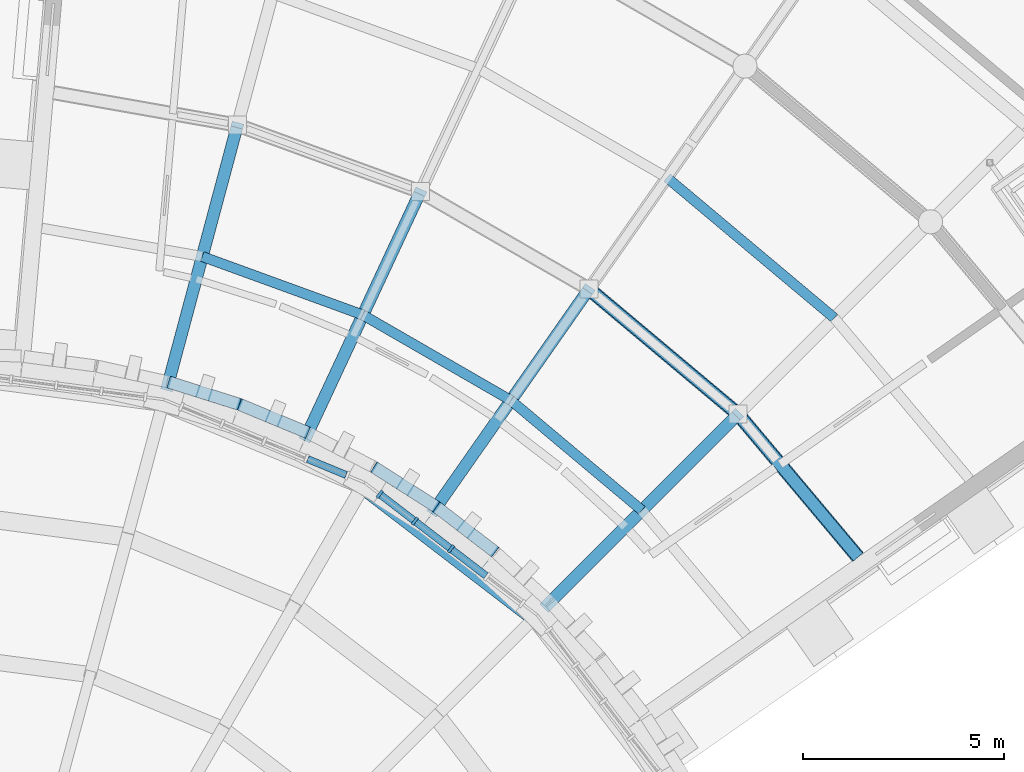
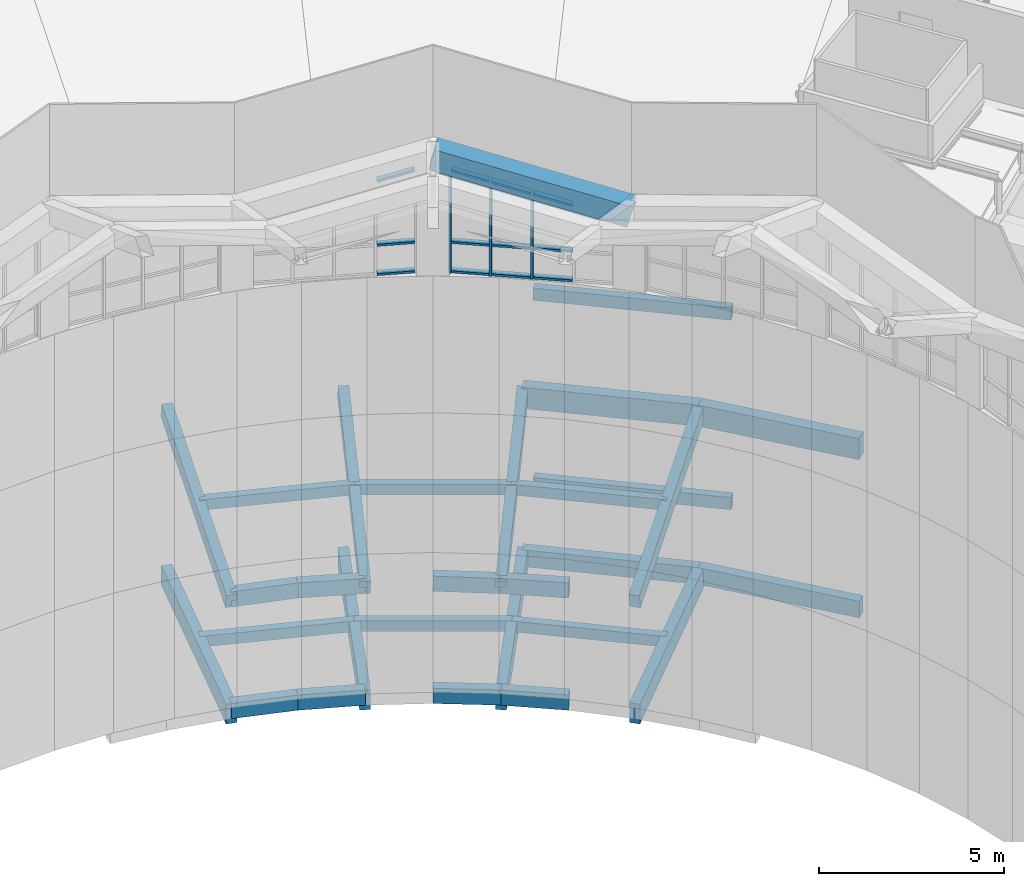
# One storey, part 18 of 82: 29 beams, 15 members, 2 elements without a shape of their own.
"""IFC4 building model written with IfcOpenShell, lengths in metres."""

from ifc_helpers import new_model, si_unit, direction, frame, origin, origin_2d, place, context, subcontext, project, spatial, rectangle, extrude, material, layer, layer_set, material_profile, profile_set, type_object, element, aggregate, save


model = new_model("IFC4")

# Units and contexts
model_context = context("Model", 3, precision=1e-05, world=origin(), true_north=direction((0.0, 1.0)))
body_context = subcontext(model_context, "Body", "Model", "MODEL_VIEW")
ifc_project = project(units=[si_unit("LENGTHUNIT", "METRE"), si_unit("AREAUNIT", "SQUARE_METRE"), si_unit("VOLUMEUNIT", "CUBIC_METRE"), si_unit("PLANEANGLEUNIT", "RADIAN"), si_unit("MASSUNIT", "GRAM", prefix="KILO")], contexts=[model_context])

# Site, building, storey
site_placement = place(None, origin())
site = spatial("IfcSite", under=ifc_project, at=site_placement, CompositionType="ELEMENT")
building_placement = place(site_placement, origin())
building = spatial("IfcBuilding", under=site, at=building_placement, Name="Volute Hill Aquarium", CompositionType="ELEMENT")
storey_placement = place(building_placement, frame((0.0, 0.0, 13.800048828125)))
storey = spatial("IfcBuildingStorey", under=building, at=storey_placement, Name="L04", CompositionType="ELEMENT", Elevation=13.800048828125)

# Beams
ifc_material_1 = material(Name="Concrete C35/45", Category="concrete")
ifc_material_profile_1 = material_profile(ifc_material_1, rectangle(XDim=0.300048828125, YDim=0.550048828125, at=origin_2d()), Name="RC beam 300x550")
ifc_profile_set_1 = profile_set([ifc_material_profile_1], Name="Concrete C35/45")
beam_type_1 = type_object("IfcBeamType", Name="Beam 300x550 C35/45", PredefinedType="BEAM", material=ifc_profile_set_1)
beam_1_placement = place(storey_placement, frame((22.612548828125, 16.07763671875, -0.56494140625), z_axis=(-0.642753784499, 0.766072824549, 0.0), x_axis=(-0.766072824549, -0.642753784499, 0.0)))
element("IfcBeam", 1, at=beam_1_placement, inside=storey, type_object=beam_type_1, Name="bm/S5/L04/ring1.17", PredefinedType="BEAM", context=body_context, shape_type="SweptSolid", body=[
    extrude(rectangle(XDim=0.300048828125, YDim=0.550048828125, at=origin_2d()), origin(), (0.0, 0.0, 1.0), 4.638427734375),
])
beam_2_placement = place(storey_placement, frame((19.631103515625, 19.631103515625, -0.56494140625), z_axis=(-0.766062524641, 0.642766060352, 0.0), x_axis=(-0.642766060352, -0.766062524641, 0.0)))
element("IfcBeam", 2, at=beam_2_placement, inside=storey, type_object=beam_type_1, Name="bm/S5/L04/ring1.18", PredefinedType="BEAM", context=body_context, shape_type="SweptSolid", body=[
    extrude(rectangle(XDim=0.300048828125, YDim=0.550048828125, at=origin_2d()), origin(), (0.0, 0.0, 1.0), 4.83935546875),
])
ifc_material_2 = material(Name="Concrete C35/45", Category="concrete")
ifc_material_profile_2 = material_profile(ifc_material_2, rectangle(XDim=0.300048828125, YDim=0.64990234375, at=origin_2d()), Name="RC beam 300x650")
ifc_profile_set_2 = profile_set([ifc_material_profile_2], Name="Concrete C35/45")
beam_type_2 = type_object("IfcBeamType", Name="Beam 300x650 C35/45", PredefinedType="BEAM", material=ifc_profile_set_2)
beam_3_placement = place(storey_placement, frame((14.84912109375, 14.84912109375, -0.614990234375), z_axis=(0.707106781187, 0.707106781187, 0.0), x_axis=(-0.707106781187, 0.707106781187, 0.0)))
element("IfcBeam", 3, at=beam_3_placement, inside=storey, type_object=beam_type_2, Name="bm/S5/L04/rad1.1", PredefinedType="BEAM", context=body_context, shape_type="SweptSolid", body=[
    extrude(rectangle(XDim=0.300048828125, YDim=0.64990234375, at=origin_2d()), origin(), (0.0, 0.0, 1.0), 6.7626953125),
])
for number, where, z_axis, x_axis, name in (
    (4, (12.045166015625, 17.2021484375, -0.614990234375), (0.573559259618, 0.819164071299, 0.0), (-0.819164071299, 0.573559259618, 0.0), "bm/S5/L04/rad2.5"),
    (5, (8.875, 19.032470703125, -0.614990234375), (0.422612703053, 0.906310379074, 0.0), (-0.906310379074, 0.422612703053, 0.0), "bm/S5/L04/rad3.9"),
    (6, (5.435302734375, 20.284423828125, -0.614990234375), (0.258819697111, 0.965925651584, 0.0), (-0.965925651584, 0.258819697111, 0.0), "bm/S5/L04/rad4.13"),
):
    element("IfcBeam", number, at=place(storey_placement, frame(where, z_axis=z_axis, x_axis=x_axis)), inside=storey, type_object=beam_type_2, Name=name, PredefinedType="BEAM", context=body_context, shape_type="SweptSolid", body=[
        extrude(rectangle(XDim=0.300048828125, YDim=0.64990234375, at=origin_2d()), origin(), (0.0, 0.0, 1.0), 6.762451171875),
    ])
ifc_material_3 = material(Name="Concrete C35/45", Category="concrete")
ifc_material_profile_3 = material_profile(ifc_material_3, rectangle(XDim=0.35009765625, YDim=0.699951171875, at=origin_2d()), Name="RC beam 350x700")
ifc_profile_set_3 = profile_set([ifc_material_profile_3], Name="Concrete C35/45")
beam_type_3 = type_object("IfcBeamType", Name="Beam 350x700 C35/45", PredefinedType="BEAM", material=ifc_profile_set_3)
beam_4_placement = place(storey_placement, frame((22.612548828125, 16.07763671875, 4.730224609375), z_axis=(-0.642753784499, 0.766072824549, 0.0), x_axis=(-0.766072824549, -0.642753784499, 0.0)))
element("IfcBeam", 7, at=beam_4_placement, inside=storey, type_object=beam_type_3, Name="rb/S5/L04/ring1.17", PredefinedType="BEAM", context=body_context, shape_type="SweptSolid", body=[
    extrude(rectangle(XDim=0.35009765625, YDim=0.699951171875, at=origin_2d()), origin(), (0.0, 0.0, 1.0), 4.638427734375),
])
beam_5_placement = place(storey_placement, frame((19.631103515625, 19.631103515625, 4.730224609375), z_axis=(-0.766062524641, 0.642766060352, 0.0), x_axis=(-0.642766060352, -0.766062524641, 0.0)))
element("IfcBeam", 8, at=beam_5_placement, inside=storey, type_object=beam_type_3, Name="rb/S5/L04/ring1.18", PredefinedType="BEAM", context=body_context, shape_type="SweptSolid", body=[
    extrude(rectangle(XDim=0.35009765625, YDim=0.699951171875, at=origin_2d()), origin(), (0.0, 0.0, 1.0), 4.83935546875),
])

# Curtain wall, members
ifc_material_4 = material(Name="Aluminium", Category="aluminium")
ifc_layer = layer(ifc_material_4, 0.219970703125)
ifc_layer_set = layer_set([ifc_layer], Name="Curtain wall DR clerestory module 1134")
curtain_wall_type = type_object("IfcCurtainWallType", Name="Curtain wall DR clerestory module 1134", PredefinedType="NOTDEFINED", material=ifc_layer_set)
curtain_wall_1_placement = place(storey_placement, origin())
curtain_wall_1 = element("IfcCurtainWall", 9, at=curtain_wall_1_placement, inside=storey, type_object=curtain_wall_type, Name="Curtain wall CW DR clerestory c03", PredefinedType="NOTDEFINED")
ifc_material_5 = material(Name="Aluminium", Category="aluminium")
ifc_material_profile_4 = material_profile(ifc_material_5, rectangle(XDim=0.219970703125, YDim=0.070068359375, at=origin_2d()), Name="Curtain wall mullion clerestory 70x220")
ifc_profile_set_4 = profile_set([ifc_material_profile_4], Name="Aluminium")
member_type_1 = type_object("IfcMemberType", Name="Curtain wall mullion clerestory 70x220", PredefinedType="MULLION", material=ifc_profile_set_4)
member_1_placement = place(storey_placement, frame((12.49365234375, 16.281982421875, 13.699951171875), z_axis=(0.0, 0.0, 1.0), x_axis=(-0.608760551921, -0.793354013303, 0.0)))
member_1 = element("IfcMember", 10, at=member_1_placement, type_object=member_type_1, Name="Mullion DR clerestory 3", PredefinedType="MULLION", context=body_context, shape_type="SweptSolid", body=[
    extrude(rectangle(XDim=0.219970703125, YDim=0.070068359375, at=origin_2d()), origin(), (0.0, 0.0, 1.0), 2.827392578125),
])
member_2_placement = place(storey_placement, frame((11.593994140625, 16.97216796875, 13.699951171875), z_axis=(0.0, 0.0, 1.0), x_axis=(-0.608760551921, -0.793354013303, 0.0)))
member_2 = element("IfcMember", 11, at=member_2_placement, type_object=member_type_1, Name="Mullion DR clerestory 4", PredefinedType="MULLION", context=body_context, shape_type="SweptSolid", body=[
    extrude(rectangle(XDim=0.219970703125, YDim=0.070068359375, at=origin_2d()), origin(), (0.0, 0.0, 1.0), 3.12109375),
])
member_3_placement = place(storey_placement, frame((10.721923828125, 17.641357421875, 13.699951171875), z_axis=(0.0, 0.0, 1.0), x_axis=(-0.608760551921, -0.793354013303, 0.0)))
member_3 = element("IfcMember", 12, at=member_3_placement, type_object=member_type_1, Name="Mullion DR clerestory 5", PredefinedType="MULLION", context=body_context, shape_type="SweptSolid", body=[
    extrude(rectangle(XDim=0.219970703125, YDim=0.070068359375, at=origin_2d()), origin(), (0.0, 0.0, 1.0), 3.40576171875),
])
ifc_material_6 = material(Name="Aluminium", Category="aluminium")
ifc_material_profile_5 = material_profile(ifc_material_6, rectangle(XDim=0.179931640625, YDim=0.070068359375, at=origin_2d()), Name="Curtain wall transom clerestory 70x180")
ifc_profile_set_5 = profile_set([ifc_material_profile_5], Name="Aluminium")
member_type_2 = type_object("IfcMemberType", Name="Curtain wall transom clerestory 70x180", PredefinedType="USERDEFINED", material=ifc_profile_set_5)
member_4_placement = place(storey_placement, frame((13.365478515625, 15.61279296875, 13.73486328125), z_axis=(-0.793399515431, 0.608701247669, 0.0), x_axis=(-0.608701247669, -0.793399515431, 0.0)))
member_4 = element("IfcMember", 13, at=member_4_placement, type_object=member_type_2, Name="Transom DR clerestory 2.1", ObjectType="TRANSOM", PredefinedType="USERDEFINED", context=body_context, shape_type="SweptSolid", body=[
    extrude(rectangle(XDim=0.179931640625, YDim=0.070068359375, at=origin_2d()), origin(), (0.0, 0.0, 1.0), 1.06396484375),
])
member_5_placement = place(storey_placement, frame((13.365478515625, 15.61279296875, 14.699951171875), z_axis=(-0.793399515431, 0.608701247669, 0.0), x_axis=(-0.608701247669, -0.793399515431, 0.0)))
member_5 = element("IfcMember", 14, at=member_5_placement, type_object=member_type_2, Name="Transom DR clerestory 2.2", ObjectType="TRANSOM", PredefinedType="USERDEFINED", context=body_context, shape_type="SweptSolid", body=[
    extrude(rectangle(XDim=0.179931640625, YDim=0.070068359375, at=origin_2d()), origin(), (0.0, 0.0, 1.0), 1.06396484375),
])
member_6_placement = place(storey_placement, frame((13.365478515625, 15.61279296875, 16.20751953125), z_axis=(-0.768049825103, 0.589252801041, 0.250760049896), x_axis=(-0.608701247669, -0.793399515431, 0.0)))
member_6 = element("IfcMember", 15, at=member_6_placement, type_object=member_type_2, Name="Head member DR clerestory 2", ObjectType="TRANSOM", PredefinedType="USERDEFINED", context=body_context, shape_type="SweptSolid", body=[
    extrude(rectangle(XDim=0.179931640625, YDim=0.070068359375, at=origin_2d()), origin(), (0.0, 0.0, 1.0), 1.09912109375),
])
member_7_placement = place(storey_placement, frame((12.4658203125, 16.30322265625, 13.73486328125), z_axis=(-0.793399515431, 0.608701247669, 0.0), x_axis=(-0.608701247669, -0.793399515431, 0.0)))
member_7 = element("IfcMember", 16, at=member_7_placement, type_object=member_type_2, Name="Transom DR clerestory 3.1", ObjectType="TRANSOM", PredefinedType="USERDEFINED", context=body_context, shape_type="SweptSolid", body=[
    extrude(rectangle(XDim=0.179931640625, YDim=0.070068359375, at=origin_2d()), origin(), (0.0, 0.0, 1.0), 1.06396484375),
])
member_8_placement = place(storey_placement, frame((12.4658203125, 16.30322265625, 14.699951171875), z_axis=(-0.793399515431, 0.608701247669, 0.0), x_axis=(-0.608701247669, -0.793399515431, 0.0)))
member_8 = element("IfcMember", 17, at=member_8_placement, type_object=member_type_2, Name="Transom DR clerestory 3.2", ObjectType="TRANSOM", PredefinedType="USERDEFINED", context=body_context, shape_type="SweptSolid", body=[
    extrude(rectangle(XDim=0.179931640625, YDim=0.070068359375, at=origin_2d()), origin(), (0.0, 0.0, 1.0), 1.06396484375),
])
member_9_placement = place(storey_placement, frame((12.4658203125, 16.30322265625, 16.501220703125), z_axis=(-0.768007032556, 0.589219970321, 0.250968174317), x_axis=(-0.608701247669, -0.793399515431, 0.0)))
member_9 = element("IfcMember", 18, at=member_9_placement, type_object=member_type_2, Name="Head member DR clerestory 3", ObjectType="TRANSOM", PredefinedType="USERDEFINED", context=body_context, shape_type="SweptSolid", body=[
    extrude(rectangle(XDim=0.179931640625, YDim=0.070068359375, at=origin_2d()), origin(), (0.0, 0.0, 1.0), 1.099365234375),
])
member_10_placement = place(storey_placement, frame((11.566162109375, 16.99365234375, 13.73486328125), z_axis=(-0.793461214918, 0.608620818261, 0.0), x_axis=(-0.608620818261, -0.793461214918, 0.0)))
member_10 = element("IfcMember", 19, at=member_10_placement, type_object=member_type_2, Name="Transom DR clerestory 4.1", ObjectType="TRANSOM", PredefinedType="USERDEFINED", context=body_context, shape_type="SweptSolid", body=[
    extrude(rectangle(XDim=0.179931640625, YDim=0.070068359375, at=origin_2d()), origin(), (0.0, 0.0, 1.0), 1.02880859375),
])
member_11_placement = place(storey_placement, frame((11.566162109375, 16.99365234375, 14.699951171875), z_axis=(-0.793461214918, 0.608620818261, 0.0), x_axis=(-0.608620818261, -0.793461214918, 0.0)))
member_11 = element("IfcMember", 20, at=member_11_placement, type_object=member_type_2, Name="Transom DR clerestory 4.2", ObjectType="TRANSOM", PredefinedType="USERDEFINED", context=body_context, shape_type="SweptSolid", body=[
    extrude(rectangle(XDim=0.179931640625, YDim=0.070068359375, at=origin_2d()), origin(), (0.0, 0.0, 1.0), 1.02880859375),
])
member_12_placement = place(storey_placement, frame((11.566162109375, 16.99365234375, 16.795166015625), z_axis=(-0.768096072089, 0.58916460075, 0.250825631196), x_axis=(-0.608620818261, -0.793461214918, 0.0)))
member_12 = element("IfcMember", 21, at=member_12_placement, type_object=member_type_2, Name="Head member DR clerestory 4", ObjectType="TRANSOM", PredefinedType="USERDEFINED", context=body_context, shape_type="SweptSolid", body=[
    extrude(rectangle(XDim=0.179931640625, YDim=0.070068359375, at=origin_2d()), origin(), (0.0, 0.0, 1.0), 1.06298828125),
])
aggregate(curtain_wall_1, [member_1, member_2, member_3, member_4, member_5, member_6, member_7, member_8, member_9, member_10, member_11, member_12])

curtain_wall_2_placement = place(storey_placement, origin())
curtain_wall_2 = element("IfcCurtainWall", 22, at=curtain_wall_2_placement, inside=storey, type_object=curtain_wall_type, Name="Curtain wall CW DR clerestory c04", PredefinedType="NOTDEFINED")
member_13_placement = place(storey_placement, frame((9.884521484375, 18.11962890625, 13.73486328125), z_axis=(-0.923875137994, 0.382694041496, 0.0), x_axis=(-0.382694041496, -0.923875137994, 0.0)))
member_13 = element("IfcMember", 23, at=member_13_placement, type_object=member_type_2, Name="Transom DR clerestory 1.1", ObjectType="TRANSOM", PredefinedType="USERDEFINED", context=body_context, shape_type="SweptSolid", body=[
    extrude(rectangle(XDim=0.179931640625, YDim=0.070068359375, at=origin_2d()), origin(), (0.0, 0.0, 1.0), 1.029052734375),
])
member_14_placement = place(storey_placement, frame((9.884521484375, 18.11962890625, 14.699951171875), z_axis=(-0.923875137994, 0.382694041496, 0.0), x_axis=(-0.382694041496, -0.923875137994, 0.0)))
member_14 = element("IfcMember", 24, at=member_14_placement, type_object=member_type_2, Name="Transom DR clerestory 1.2", ObjectType="TRANSOM", PredefinedType="USERDEFINED", context=body_context, shape_type="SweptSolid", body=[
    extrude(rectangle(XDim=0.179931640625, YDim=0.070068359375, at=origin_2d()), origin(), (0.0, 0.0, 1.0), 1.029052734375),
])
member_15_placement = place(storey_placement, frame((9.884521484375, 18.11962890625, 17.061767578125), z_axis=(-0.894346413946, 0.370462446249, -0.250802846438), x_axis=(-0.382694041496, -0.923875137994, 0.0)))
member_15 = element("IfcMember", 25, at=member_15_placement, type_object=member_type_2, Name="Head member DR clerestory 1", ObjectType="TRANSOM", PredefinedType="USERDEFINED", context=body_context, shape_type="SweptSolid", body=[
    extrude(rectangle(XDim=0.179931640625, YDim=0.070068359375, at=origin_2d()), origin(), (0.0, 0.0, 1.0), 1.06298828125),
])
aggregate(curtain_wall_2, [member_13, member_14, member_15])

# Beams
ifc_material_7 = material(Name="Concrete C40/50", Category="concrete")
ifc_material_profile_6 = material_profile(ifc_material_7, rectangle(XDim=0.60009765625, YDim=0.699951171875, at=origin_2d()), Name="RC beam 600x700")
ifc_profile_set_6 = profile_set([ifc_material_profile_6], Name="Concrete C40/50")
beam_type_4 = type_object("IfcBeamType", Name="Dome shell eave ring beam 600x700", PredefinedType="BEAM", material=ifc_profile_set_6)
beam_6_placement = place(storey_placement, frame((14.63720703125, 14.63720703125, 16.1162109375), z_axis=(-0.768005978347, 0.58930025924, 0.250782817759), x_axis=(-0.608753981167, -0.793359055165, 0.0)))
element("IfcBeam", 26, at=beam_6_placement, inside=storey, type_object=beam_type_4, Name="rb/DR/L04/eave.3", PredefinedType="BEAM", context=body_context, shape_type="SweptSolid", body=[
    extrude(rectangle(XDim=0.60009765625, YDim=0.699951171875, at=origin_2d()), origin(), (0.0, 0.0, 1.0), 5.58203125),
])
ifc_material_8 = material(Name="Concrete C35/45", Category="concrete")
ifc_material_profile_7 = material_profile(ifc_material_8, rectangle(XDim=0.300048828125, YDim=0.5, at=origin_2d()), Name="RC edge beam 300x500")
ifc_profile_set_7 = profile_set([ifc_material_profile_7], Name="Concrete C35/45")
beam_type_5 = type_object("IfcBeamType", Name="Edge beam 300x500 C35/45", PredefinedType="BEAM", material=ifc_profile_set_7)
beam_7_placement = place(storey_placement, frame((13.594970703125, 16.201904296875, -0.5400390625), z_axis=(-0.79334647843, 0.608770371457, 0.0), x_axis=(-0.608770371457, -0.79334647843, 0.0)))
element("IfcBeam", 27, at=beam_7_placement, inside=storey, type_object=beam_type_5, Name="bm/S5/L04/edgeD.35", PredefinedType="BEAM", context=body_context, shape_type="SweptSolid", body=[
    extrude(rectangle(XDim=0.300048828125, YDim=0.5, at=origin_2d()), origin(), (0.0, 0.0, 1.0), 1.84521484375),
])
for number, where, z_axis, x_axis, name in (
    (28, (12.131103515625, 17.3251953125, -0.5400390625), (-0.843334400185, 0.537389141558, 0.0), (-0.537389141558, -0.843334400185, 0.0), "bm/S5/L04/edgeD.36"),
    (29, (8.9384765625, 19.16845703125, -0.5400390625), (-0.923881361379, 0.382679017059, 0.0), (-0.382679017059, -0.923881361379, 0.0), "bm/S5/L04/edgeD.38"),
):
    element("IfcBeam", number, at=place(storey_placement, frame(where, z_axis=z_axis, x_axis=x_axis)), inside=storey, type_object=beam_type_5, Name=name, PredefinedType="BEAM", context=body_context, shape_type="SweptSolid", body=[
        extrude(rectangle(XDim=0.300048828125, YDim=0.5, at=origin_2d()), origin(), (0.0, 0.0, 1.0), 1.844970703125),
    ])
for number, where, z_axis, x_axis, name in (
    (30, (7.23388671875, 19.87451171875, -0.5400390625), (-0.953704567191, 0.300745072312, 0.0), (-0.300745072312, -0.953704567191, 0.0), "bm/S5/L04/edgeD.39"),
    (31, (13.594970703125, 16.201904296875, 3.151123046875), (-0.793296309815, 0.608731874827, -0.01124586163), (-0.608770371457, -0.79334647843, 0.0), "rb/S5/L04/edgeD.35"),
):
    element("IfcBeam", number, at=place(storey_placement, frame(where, z_axis=z_axis, x_axis=x_axis)), inside=storey, type_object=beam_type_5, Name=name, PredefinedType="BEAM", context=body_context, shape_type="SweptSolid", body=[
        extrude(rectangle(XDim=0.300048828125, YDim=0.5, at=origin_2d()), origin(), (0.0, 0.0, 1.0), 1.84521484375),
    ])
beam_8_placement = place(storey_placement, frame((12.131103515625, 17.3251953125, 3.13037109375), z_axis=(-0.843281057084, 0.537355150293, 0.011247275985), x_axis=(-0.537389141558, -0.843334400185, 0.0)))
element("IfcBeam", 32, at=beam_8_placement, inside=storey, type_object=beam_type_5, Name="rb/S5/L04/edgeD.36", PredefinedType="BEAM", context=body_context, shape_type="SweptSolid", body=[
    extrude(rectangle(XDim=0.300048828125, YDim=0.5, at=origin_2d()), origin(), (0.0, 0.0, 1.0), 1.844970703125),
])
for number, where, z_axis, x_axis, name in (
    (33, (8.9384765625, 19.16845703125, 3.13037109375), (-0.923822928729, 0.38265481379, 0.011246770115), (-0.382679017059, -0.923881361379, 0.0), "rb/S5/L04/edgeD.38"),
    (34, (7.23388671875, 19.87451171875, 3.151123046875), (-0.953644258668, 0.300726054377, -0.011245804937), (-0.300745072312, -0.953704567191, 0.0), "rb/S5/L04/edgeD.39"),
):
    element("IfcBeam", number, at=place(storey_placement, frame(where, z_axis=z_axis, x_axis=x_axis)), inside=storey, type_object=beam_type_5, Name=name, PredefinedType="BEAM", context=body_context, shape_type="SweptSolid", body=[
        extrude(rectangle(XDim=0.300048828125, YDim=0.5, at=origin_2d()), origin(), (0.0, 0.0, 1.0), 1.84521484375),
    ])
ifc_material_9 = material(Name="Concrete C35/45", Category="concrete")
ifc_material_profile_8 = material_profile(ifc_material_9, rectangle(XDim=0.25, YDim=0.35009765625, at=origin_2d()), Name="RC joist 250x350")
ifc_profile_set_8 = profile_set([ifc_material_profile_8], Name="Concrete C35/45")
beam_type_6 = type_object("IfcBeamType", Name="Joist 250x350 C35/45", PredefinedType="BEAM", material=ifc_profile_set_8)
beam_9_placement = place(storey_placement, frame((17.239990234375, 17.239990234375, -0.465087890625), z_axis=(-0.766003551743, 0.642836338983, 0.0), x_axis=(-0.642836338983, -0.766003551743, 0.0)))
element("IfcBeam", 35, at=beam_9_placement, inside=storey, type_object=beam_type_6, Name="bm/S5/L04/jst2", PredefinedType="BEAM", context=body_context, shape_type="SweptSolid", body=[
    extrude(rectangle(XDim=0.25, YDim=0.35009765625, at=origin_2d()), origin(), (0.0, 0.0, 1.0), 4.249755859375),
])
for number, where, z_axis, x_axis, name in (
    (36, (13.984619140625, 19.971923828125, -0.465087890625), (-0.866028703517, 0.499994284652, 0.0), (-0.499994284652, -0.866028703517, 0.0), "bm/S5/L04/jst3"),
    (37, (10.303955078125, 22.096923828125, -0.465087890625), (-0.939689391499, 0.342029015588, 0.0), (-0.342029015588, -0.939689391499, 0.0), "bm/S5/L04/jst4"),
):
    element("IfcBeam", number, at=place(storey_placement, frame(where, z_axis=z_axis, x_axis=x_axis)), inside=storey, type_object=beam_type_6, Name=name, PredefinedType="BEAM", context=body_context, shape_type="SweptSolid", body=[
        extrude(rectangle(XDim=0.25, YDim=0.35009765625, at=origin_2d()), origin(), (0.0, 0.0, 1.0), 4.25),
    ])
beam_10_placement = place(storey_placement, frame((17.239990234375, 17.239990234375, 4.0361328125), z_axis=(-0.766003551743, 0.642836338983, 0.0), x_axis=(-0.642836338983, -0.766003551743, 0.0)))
element("IfcBeam", 38, at=beam_10_placement, inside=storey, type_object=beam_type_6, Name="rb/S5/L04/jst2", PredefinedType="BEAM", context=body_context, shape_type="SweptSolid", body=[
    extrude(rectangle(XDim=0.25, YDim=0.35009765625, at=origin_2d()), origin(), (0.0, 0.0, 1.0), 4.249755859375),
])
for number, where, z_axis, x_axis, name in (
    (39, (13.984619140625, 19.971923828125, 4.0361328125), (-0.866028703517, 0.499994284652, 0.0), (-0.499994284652, -0.866028703517, 0.0), "rb/S5/L04/jst3"),
    (40, (10.303955078125, 22.096923828125, 4.0361328125), (-0.939689391499, 0.342029015588, 0.0), (-0.342029015588, -0.939689391499, 0.0), "rb/S5/L04/jst4"),
):
    element("IfcBeam", number, at=place(storey_placement, frame(where, z_axis=z_axis, x_axis=x_axis)), inside=storey, type_object=beam_type_6, Name=name, PredefinedType="BEAM", context=body_context, shape_type="SweptSolid", body=[
        extrude(rectangle(XDim=0.25, YDim=0.35009765625, at=origin_2d()), origin(), (0.0, 0.0, 1.0), 4.25),
    ])
ifc_material_10 = material(Name="Concrete C35/45", Category="concrete")
ifc_material_profile_9 = material_profile(ifc_material_10, rectangle(XDim=0.25, YDim=0.39990234375, at=origin_2d()), Name="RC joist 250x400")
ifc_profile_set_9 = profile_set([ifc_material_profile_9], Name="Concrete C35/45")
beam_type_7 = type_object("IfcBeamType", Name="Joist 250x400 C35/45", PredefinedType="BEAM", material=ifc_profile_set_9)
for number, where, z_axis, x_axis, name in (
    (41, (22.02197265625, 22.02197265625, -0.489990234375), (-0.766049383872, 0.64278172148, 0.0), (-0.64278172148, -0.766049383872, 0.0), "bm/S5/L04/jst7"),
    (42, (22.02197265625, 22.02197265625, 5.74951171875), (-0.766049383872, 0.64278172148, 0.0), (-0.64278172148, -0.766049383872, 0.0), "rb/S5/L04/jst7"),
):
    element("IfcBeam", number, at=place(storey_placement, frame(where, z_axis=z_axis, x_axis=x_axis)), inside=storey, type_object=beam_type_7, Name=name, PredefinedType="BEAM", context=body_context, shape_type="SweptSolid", body=[
        extrude(rectangle(XDim=0.25, YDim=0.39990234375, at=origin_2d()), origin(), (0.0, 0.0, 1.0), 5.4287109375),
    ])
ifc_material_11 = material(Name="Concrete C35/45", Category="concrete")
ifc_material_profile_10 = material_profile(ifc_material_11, rectangle(XDim=0.300048828125, YDim=0.5, at=origin_2d()), Name="RC rib 300x500")
ifc_profile_set_10 = profile_set([ifc_material_profile_10], Name="Concrete C35/45")
beam_type_8 = type_object("IfcBeamType", Name="Roof rib 300x500 C35/45", PredefinedType="BEAM", material=ifc_profile_set_10)
beam_11_placement = place(storey_placement, frame((14.84912109375, 14.84912109375, 3.083740234375), z_axis=(0.684839301374, 0.684839301374, 0.248978437999), x_axis=(-0.707106781187, 0.707106781187, 0.0)))
element("IfcBeam", 43, at=beam_11_placement, inside=storey, type_object=beam_type_8, Name="rb/S5/L04/rib1.1", PredefinedType="BEAM", context=body_context, shape_type="SweptSolid", body=[
    extrude(rectangle(XDim=0.300048828125, YDim=0.5, at=origin_2d()), origin(), (0.0, 0.0, 1.0), 6.982666015625),
])
for number, where, z_axis, x_axis, name in (
    (44, (12.045166015625, 17.2021484375, 3.083740234375), (0.555495789021, 0.793365610429, 0.2489888282), (-0.819164071299, 0.573559259618, 0.0), "rb/S5/L04/rib2.5"),
    (45, (8.875, 19.032470703125, 3.083740234375), (0.409303228055, 0.877767660781, 0.248987552279), (-0.906310379074, 0.422612703053, 0.0), "rb/S5/L04/rib3.9"),
    (46, (5.435302734375, 20.284423828125, 3.083740234375), (0.250668438066, 0.93550482082, 0.24899008892), (-0.965925651584, 0.258819697111, 0.0), "rb/S5/L04/rib4.13"),
):
    element("IfcBeam", number, at=place(storey_placement, frame(where, z_axis=z_axis, x_axis=x_axis)), inside=storey, type_object=beam_type_8, Name=name, PredefinedType="BEAM", context=body_context, shape_type="SweptSolid", body=[
        extrude(rectangle(XDim=0.300048828125, YDim=0.5, at=origin_2d()), origin(), (0.0, 0.0, 1.0), 6.982421875),
    ])

save(model, "model.ifc")
